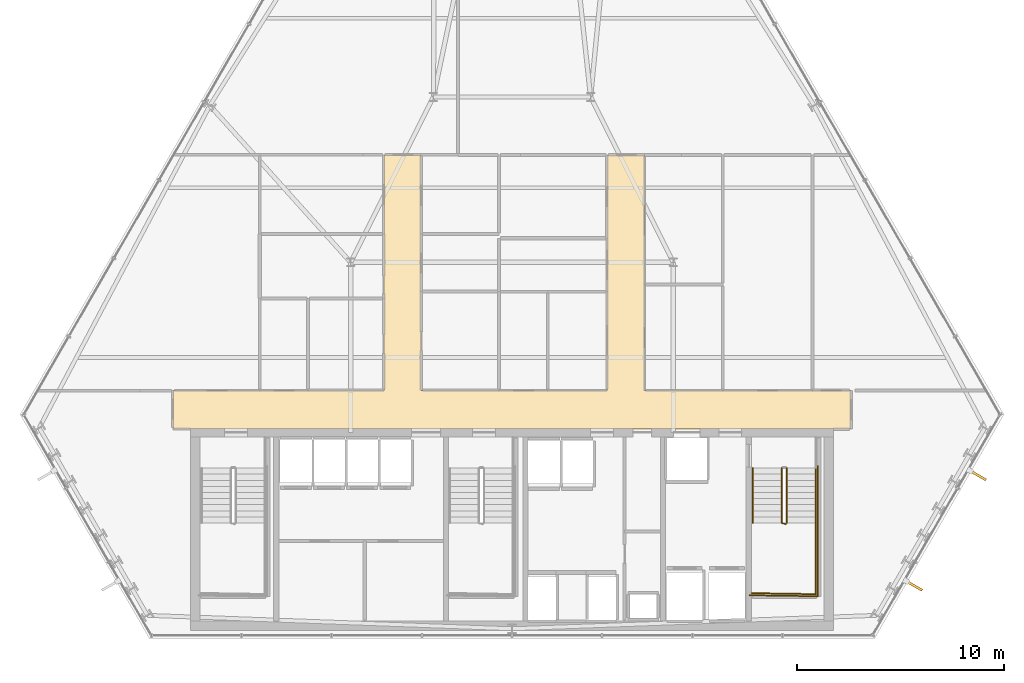
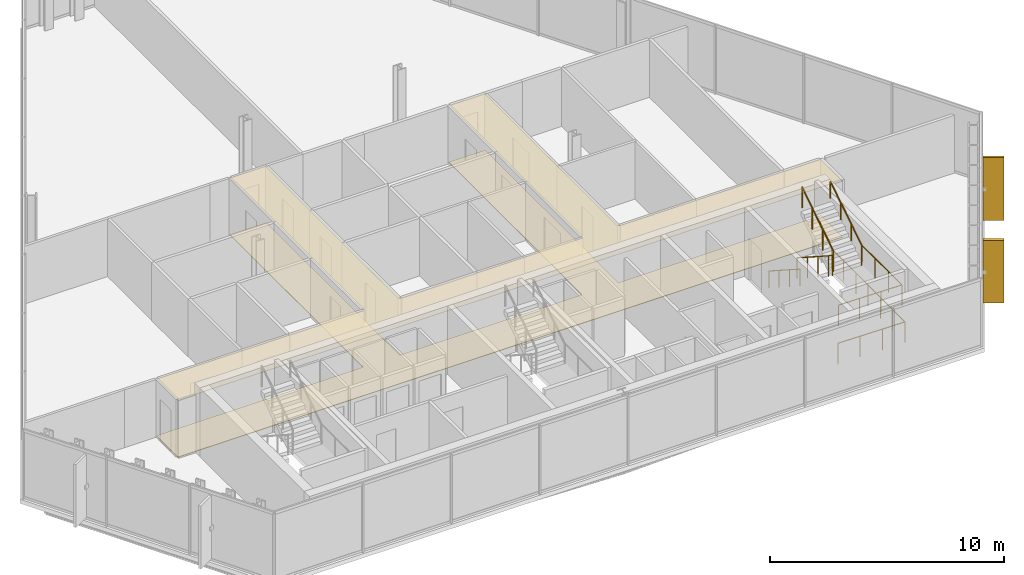
# One storey, part 30 of 32: 6 railings, 2 coverings, 2 shading devices.
"""IFC4 building model written with IfcOpenShell, lengths in metres."""

from ifc_helpers import new_model, si_unit, direction, frame, origin, origin_2d, place, context, subcontext, project, spatial, polyline, rectangle, circle, outline, extrude, material, layer, layer_set, type_object, element, save


model = new_model("IFC4")

# Units and contexts
model_context = context("Model", 3, precision=1e-05, world=origin(), true_north=direction((0.0, 1.0)))
body_context = subcontext(model_context, "Body", "Model", "MODEL_VIEW")
ifc_project = project(units=[si_unit("LENGTHUNIT", "METRE"), si_unit("AREAUNIT", "SQUARE_METRE"), si_unit("VOLUMEUNIT", "CUBIC_METRE"), si_unit("PLANEANGLEUNIT", "RADIAN"), si_unit("MASSUNIT", "GRAM", prefix="KILO")], contexts=[model_context])

# Site, building, storey
site_placement = place(None, origin())
site = spatial("IfcSite", under=ifc_project, at=site_placement, CompositionType="ELEMENT")
building_placement = place(site_placement, origin())
building = spatial("IfcBuilding", under=site, at=building_placement, Name="Ndaravel Arena Tower", CompositionType="ELEMENT")
storey_placement = place(building_placement, frame((0.0, 0.0, 130.800048828125)))
storey = spatial("IfcBuildingStorey", under=building, at=storey_placement, Name="L30", CompositionType="ELEMENT", Elevation=130.800048828125)

# Coverings
ifc_material_1 = material(Name="Acoustic Ceiling Tile", Category="finish")
ifc_layer_1 = layer(ifc_material_1, 0.02490234375)
ifc_layer_set_1 = layer_set([ifc_layer_1], Name="Acoustic Ceiling Tile")
covering_type_1 = type_object("IfcCoveringType", Name="COV-CEIL-AC600", PredefinedType="CEILING", material=ifc_layer_set_1)
covering_1_placement = place(storey_placement, frame((0.0, 0.0, 2.98046875)))
element("IfcCovering", 1, at=covering_1_placement, inside=storey, type_object=covering_type_1, Name="L30 Corridor Acoustic Ceiling", PredefinedType="CEILING", context=body_context, shape_type="SweptSolid", body=[
    extrude(outline(polyline([(58.39990234375, 17.0), (48.39990234375, 17.0), (48.39990234375, 28.39990234375), (46.60009765625, 28.39990234375), (46.60009765625, 17.0), (37.60009765625, 17.0), (37.60009765625, 28.39990234375), (35.800048828125, 28.39990234375), (35.800048828125, 17.0), (25.60009765625, 17.0), (25.60009765625, 15.14990234375), (58.39990234375, 15.14990234375), (58.39990234375, 17.0)])), origin(), (0.0, 0.0, 1.0), 0.02490234375),
])
ifc_material_2 = material(Name="Terrazzo", Category="stone")
ifc_layer_2 = layer(ifc_material_2, 0.030029296875)
ifc_layer_set_2 = layer_set([ifc_layer_2], Name="Terrazzo")
covering_type_2 = type_object("IfcCoveringType", Name="COV-FLOOR-TERRAZZO", PredefinedType="FLOORING", material=ifc_layer_set_2)
covering_2_placement = place(storey_placement, origin())
element("IfcCovering", 2, at=covering_2_placement, inside=storey, type_object=covering_type_2, Name="L30 Corridor Terrazzo Flooring", PredefinedType="FLOORING", context=body_context, shape_type="SweptSolid", body=[
    extrude(outline(polyline([(58.39990234375, 17.0), (48.39990234375, 17.0), (48.39990234375, 28.39990234375), (46.60009765625, 28.39990234375), (46.60009765625, 17.0), (37.60009765625, 17.0), (37.60009765625, 28.39990234375), (35.800048828125, 28.39990234375), (35.800048828125, 17.0), (25.60009765625, 17.0), (25.60009765625, 15.14990234375), (58.39990234375, 15.14990234375), (58.39990234375, 17.0)])), origin(), (0.0, 0.0, 1.0), 0.030029296875),
])

# Railings
ifc_material_3 = material(Name="Steel S355", Category="steel")
ifc_layer_3 = layer(ifc_material_3, 0.06005859375)
ifc_layer_set_3 = layer_set([ifc_layer_3], Name="Steel S355")
railing_type_1 = type_object("IfcRailingType", Name="RAIL-STAIR-GD1100", PredefinedType="GUARDRAIL", material=ifc_layer_set_3)
railing_1_placement = place(storey_placement, frame((55.050048828125, 13.25, 0.18994140625)))
element("IfcRailing", 3, at=railing_1_placement, inside=storey, type_object=railing_type_1, Name="L30 ST-3 stair guard 1", PredefinedType="GUARDRAIL", context=body_context, shape_type="SweptSolid", body=[
    extrude(circle(Radius=0.02392578125, at=origin_2d()), frame((0.0, 0.0, 1.076171875), z_axis=(0.0, -0.840723540582, 0.54146461409), x_axis=(1.0, 0.0, 0.0)), (0.0, 0.0, 1.0), 3.157958984375),
    extrude(circle(Radius=0.02392578125, at=origin_2d()), frame((0.0, -2.655029296875, 2.7861328125), z_axis=(0.966993988697, -0.254799187253, 0.0), x_axis=(0.254799187253, 0.966993988697, 0.0)), (0.0, 0.0, 1.0), 0.196533203125),
    extrude(circle(Radius=0.02099609375, at=origin_2d()), origin(), (0.0, 0.0, 1.0), 1.052001953125),
    extrude(circle(Radius=0.02099609375, at=origin_2d()), frame((0.0, -0.885009765625, 0.570068359375)), (0.0, 0.0, 1.0), 1.052001953125),
    extrude(circle(Radius=0.02099609375, at=origin_2d()), frame((0.0, -1.77001953125, 1.139892578125)), (0.0, 0.0, 1.0), 1.052001953125),
    extrude(circle(Radius=0.02099609375, at=origin_2d()), frame((0.0, -2.655029296875, 1.7099609375)), (0.0, 0.0, 1.0), 1.052001953125),
    extrude(circle(Radius=0.02099609375, at=origin_2d()), frame((0.18994140625, -2.705078125, 1.7099609375)), (0.0, 0.0, 1.0), 1.052001953125),
])
railing_2_placement = place(storey_placement, frame((56.68994140625, 10.594970703125, 1.89990234375)))
element("IfcRailing", 4, at=railing_2_placement, inside=storey, type_object=railing_type_1, Name="L30 ST-3 stair guard 2", PredefinedType="GUARDRAIL", context=body_context, shape_type="SweptSolid", body=[
    extrude(circle(Radius=0.02392578125, at=origin_2d()), frame((0.0, 0.0, 1.076171875), z_axis=(0.0, -1.0, 0.0), x_axis=(1.0, 0.0, 0.0)), (0.0, 0.0, 1.0), 3.445068359375),
    extrude(circle(Radius=0.02392578125, at=origin_2d()), frame((0.0, -3.445068359375, 1.076171875), z_axis=(-0.999868840623, 0.016195726322, 0.0), x_axis=(-0.016195726322, -0.999868840623, 0.0)), (0.0, 0.0, 1.0), 3.09033203125),
    extrude(circle(Radius=0.02099609375, at=origin_2d()), origin(), (0.0, 0.0, 1.0), 1.052001953125),
    extrude(circle(Radius=0.02099609375, at=origin_2d()), frame((0.0, -1.1484375, 0.0)), (0.0, 0.0, 1.0), 1.052001953125),
    extrude(circle(Radius=0.02099609375, at=origin_2d()), frame((0.0, -2.296630859375, 0.0)), (0.0, 0.0, 1.0), 1.052001953125),
    extrude(circle(Radius=0.02099609375, at=origin_2d()), frame((0.0, -3.445068359375, 0.0)), (0.0, 0.0, 1.0), 1.052001953125),
    extrude(circle(Radius=0.02099609375, at=origin_2d()), frame((-1.030029296875, -3.428466796875, 0.0)), (0.0, 0.0, 1.0), 1.052001953125),
    extrude(circle(Radius=0.02099609375, at=origin_2d()), frame((-2.059814453125, -3.41162109375, 0.0)), (0.0, 0.0, 1.0), 1.052001953125),
    extrude(circle(Radius=0.02099609375, at=origin_2d()), frame((-3.08984375, -3.39501953125, 0.0)), (0.0, 0.0, 1.0), 1.052001953125),
])
railing_3_placement = place(storey_placement, frame((55.2900390625, 10.594970703125, 2.08984375)))
element("IfcRailing", 5, at=railing_3_placement, inside=storey, type_object=railing_type_1, Name="L30 ST-3 stair guard 3", PredefinedType="GUARDRAIL", context=body_context, shape_type="SweptSolid", body=[
    extrude(circle(Radius=0.02392578125, at=origin_2d()), frame((0.0, 0.0, 1.076171875), z_axis=(0.0, 0.840688348013, 0.541519253134), x_axis=(-1.0, 0.0, 0.0)), (0.0, 0.0, 1.0), 3.158203125),
    extrude(circle(Radius=0.02099609375, at=origin_2d()), origin(), (0.0, 0.0, 1.0), 1.052001953125),
    extrude(circle(Radius=0.02099609375, at=origin_2d()), frame((0.0, 0.885009765625, 0.570068359375)), (0.0, 0.0, 1.0), 1.052001953125),
    extrude(circle(Radius=0.02099609375, at=origin_2d()), frame((0.0, 1.77001953125, 1.14013671875)), (0.0, 0.0, 1.0), 1.052001953125),
    extrude(circle(Radius=0.02099609375, at=origin_2d()), frame((0.0, 2.655029296875, 1.710205078125)), (0.0, 0.0, 1.0), 1.052001953125),
])
railing_4_placement = place(storey_placement, frame((56.7900390625, 13.35009765625, 0.0)))
element("IfcRailing", 6, at=railing_4_placement, inside=storey, type_object=railing_type_1, Name="L30 ST-3 stair guard 6", PredefinedType="GUARDRAIL", context=body_context, shape_type="SweptSolid", body=[
    extrude(circle(Radius=0.02392578125, at=origin_2d()), frame((0.0, 0.0, 1.076171875), z_axis=(0.0, -1.0, 0.0), x_axis=(1.0, 0.0, 0.0)), (0.0, 0.0, 1.0), 6.300048828125),
    extrude(circle(Radius=0.02392578125, at=origin_2d()), frame((0.0, -6.300048828125, 1.076171875), z_axis=(-0.99988431412, 0.015210469308, 0.0), x_axis=(-0.015210469308, -0.99988431412, 0.0)), (0.0, 0.0, 1.0), 3.29052734375),
    extrude(circle(Radius=0.02099609375, at=origin_2d()), origin(), (0.0, 0.0, 1.0), 1.052001953125),
    extrude(circle(Radius=0.02099609375, at=origin_2d()), frame((0.0, -1.050048828125, 0.0)), (0.0, 0.0, 1.0), 1.052001953125),
    extrude(circle(Radius=0.02099609375, at=origin_2d()), frame((0.0, -2.10009765625, 0.0)), (0.0, 0.0, 1.0), 1.052001953125),
    extrude(circle(Radius=0.02099609375, at=origin_2d()), frame((0.0, -3.14990234375, 0.0)), (0.0, 0.0, 1.0), 1.052001953125),
    extrude(circle(Radius=0.02099609375, at=origin_2d()), frame((0.0, -4.199951171875, 0.0)), (0.0, 0.0, 1.0), 1.052001953125),
    extrude(circle(Radius=0.02099609375, at=origin_2d()), frame((0.0, -5.25, 0.0)), (0.0, 0.0, 1.0), 1.052001953125),
    extrude(circle(Radius=0.02099609375, at=origin_2d()), frame((0.0, -6.300048828125, 0.0)), (0.0, 0.0, 1.0), 1.052001953125),
    extrude(circle(Radius=0.02099609375, at=origin_2d()), frame((-1.0966796875, -6.283447265625, 0.0)), (0.0, 0.0, 1.0), 1.052001953125),
    extrude(circle(Radius=0.02099609375, at=origin_2d()), frame((-2.193359375, -6.2666015625, 0.0)), (0.0, 0.0, 1.0), 1.052001953125),
    extrude(circle(Radius=0.02099609375, at=origin_2d()), frame((-3.2900390625, -6.25, 0.0)), (0.0, 0.0, 1.0), 1.052001953125),
])
ifc_material_4 = material(Name="Steel S355", Category="steel")
ifc_layer_4 = layer(ifc_material_4, 0.050048828125)
ifc_layer_set_4 = layer_set([ifc_layer_4], Name="Steel S355")
railing_type_2 = type_object("IfcRailingType", Name="RAIL-STAIR-HR920", PredefinedType="HANDRAIL", material=ifc_layer_set_4)
railing_5_placement = place(storey_placement, frame((53.64990234375, 13.25, 0.18994140625)))
element("IfcRailing", 7, at=railing_5_placement, inside=storey, type_object=railing_type_2, Name="L30 ST-3 stair handrail 1", PredefinedType="HANDRAIL", context=body_context, shape_type="SweptSolid", body=[
    extrude(circle(Radius=0.02392578125, at=origin_2d()), frame((0.0, 0.0, 0.8759765625), z_axis=(0.0, -0.840723540582, 0.54146461409), x_axis=(1.0, 0.0, 0.0)), (0.0, 0.0, 1.0), 3.157958984375),
    extrude(circle(Radius=0.02099609375, at=origin_2d()), origin(), (0.0, 0.0, 1.0), 0.851806640625),
    extrude(circle(Radius=0.02099609375, at=origin_2d()), frame((0.0, -0.885009765625, 0.570068359375)), (0.0, 0.0, 1.0), 0.851806640625),
    extrude(circle(Radius=0.02099609375, at=origin_2d()), frame((0.0, -1.77001953125, 1.139892578125)), (0.0, 0.0, 1.0), 0.851806640625),
    extrude(circle(Radius=0.02099609375, at=origin_2d()), frame((0.0, -2.655029296875, 1.7099609375)), (0.0, 0.0, 1.0), 0.851806640625),
])
railing_6_placement = place(storey_placement, frame((56.68994140625, 10.594970703125, 2.08984375)))
element("IfcRailing", 8, at=railing_6_placement, inside=storey, type_object=railing_type_2, Name="L30 ST-3 stair handrail 2", PredefinedType="HANDRAIL", context=body_context, shape_type="SweptSolid", body=[
    extrude(circle(Radius=0.02392578125, at=origin_2d()), frame((0.0, 0.0, 0.8759765625), z_axis=(0.0, 0.840688348013, 0.541519253134), x_axis=(-1.0, 0.0, 0.0)), (0.0, 0.0, 1.0), 3.158203125),
    extrude(circle(Radius=0.02099609375, at=origin_2d()), origin(), (0.0, 0.0, 1.0), 0.851806640625),
    extrude(circle(Radius=0.02099609375, at=origin_2d()), frame((0.0, 0.885009765625, 0.570068359375)), (0.0, 0.0, 1.0), 0.851806640625),
    extrude(circle(Radius=0.02099609375, at=origin_2d()), frame((0.0, 1.77001953125, 1.14013671875)), (0.0, 0.0, 1.0), 0.851806640625),
    extrude(circle(Radius=0.02099609375, at=origin_2d()), frame((0.0, 2.655029296875, 1.710205078125)), (0.0, 0.0, 1.0), 0.851806640625),
])

# Shading devices
ifc_material_5 = material(Name="Masonry", Category="masonry")
shading_device_type = type_object("IfcShadingDeviceType", Name="SHD-MAZERAS-FIN", PredefinedType="SHUTTER", material=ifc_material_5)
for number, where, z_axis, x_axis, name in (
    (9, (61.44873046875, 7.563232421875, 0.14990234375), (0.0, 0.0, 1.0), (0.866025403784, -0.5, 0.0), "L30 Mazeras Stone Solar Fin E2.1"),
    (10, (64.531982421875, 12.90380859375, 0.14990234375), (0.0, 0.0, 1.0), (0.866025403784, -0.5, 0.0), "L30 Mazeras Stone Solar Fin E2.2"),
):
    element("IfcShadingDevice", number, at=place(storey_placement, frame(where, z_axis=z_axis, x_axis=x_axis)), inside=storey, type_object=shading_device_type, Name=name, PredefinedType="SHUTTER", context=body_context, shape_type="SweptSolid", body=[
        extrude(rectangle(XDim=0.89990234375, YDim=0.1201171875, at=origin_2d()), origin(), (0.0, 0.0, 1.0), 3.280029296875),
    ])

save(model, "model.ifc")
